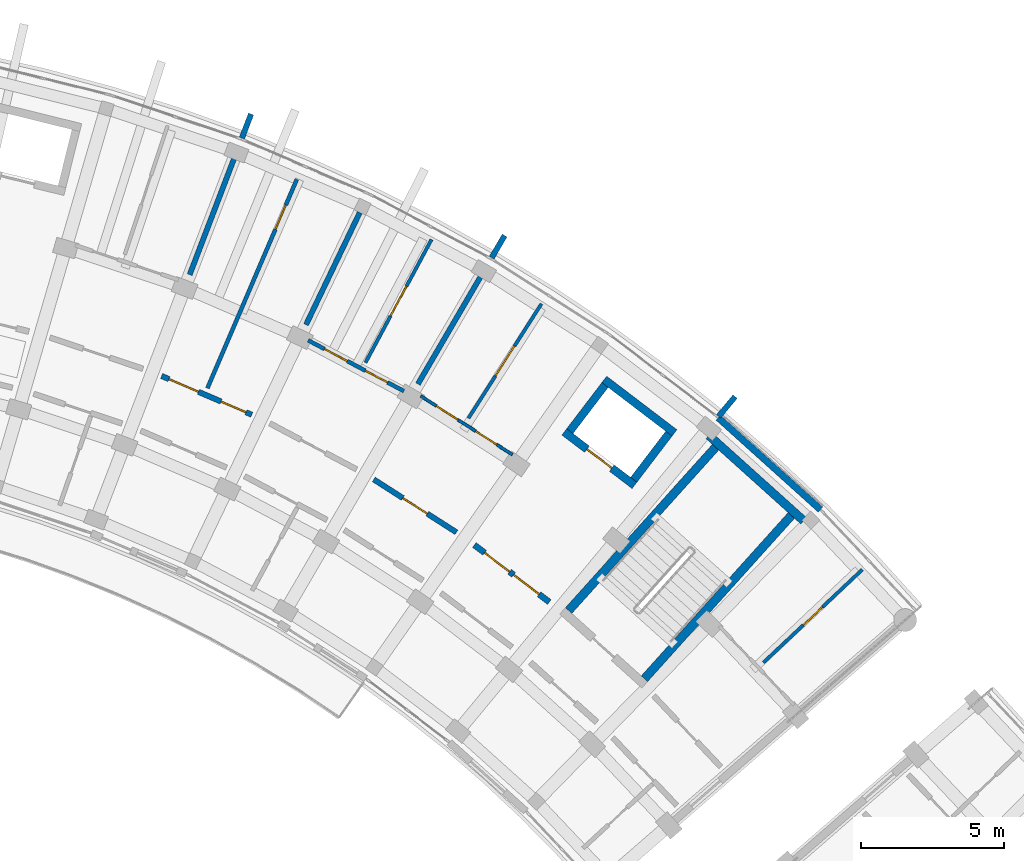
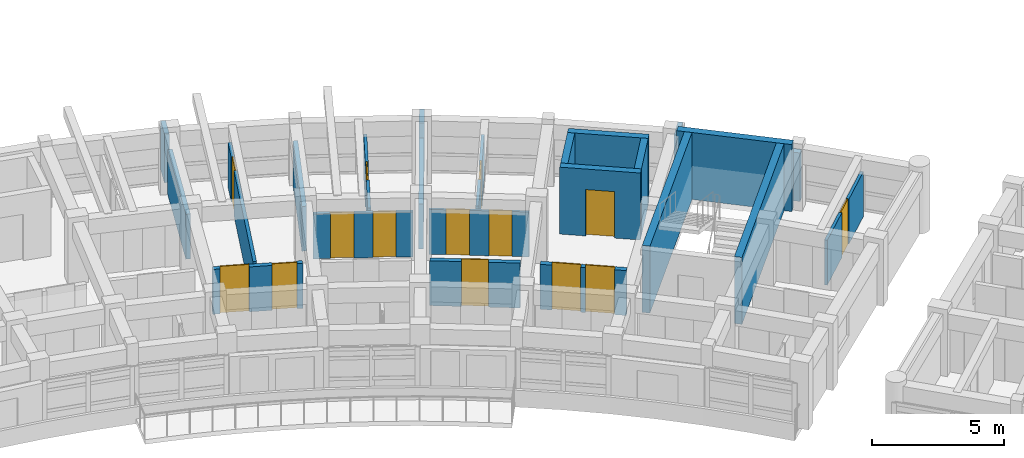
# One storey, part 36 of 56: 23 walls, 14 doors, 14 openings.
"""IFC4 building model written with IfcOpenShell, lengths in metres."""

from ifc_helpers import new_model, si_unit, direction, frame, frame_2d, origin, place, context, subcontext, project, spatial, rectangle, extrude, material, layer, layer_set, type_object, element, fill, save


model = new_model("IFC4")

# Units and contexts
model_context = context("Model", 3, precision=1e-05, world=origin(), true_north=direction((0.0, 1.0)))
body_context = subcontext(model_context, "Body", "Model", "MODEL_VIEW")
ifc_project = project(units=[si_unit("LENGTHUNIT", "METRE"), si_unit("AREAUNIT", "SQUARE_METRE"), si_unit("VOLUMEUNIT", "CUBIC_METRE"), si_unit("PLANEANGLEUNIT", "RADIAN"), si_unit("MASSUNIT", "GRAM", prefix="KILO")], contexts=[model_context])

# Site, building, storey
site_placement = place(None, origin())
site = spatial("IfcSite", under=ifc_project, at=site_placement, CompositionType="ELEMENT")
building_placement = place(site_placement, origin())
building = spatial("IfcBuilding", under=site, at=building_placement, Name="Zimvara Arc Housing Community", CompositionType="ELEMENT")
storey_placement = place(building_placement, frame((0.0, 0.0, 11.199951171875)))
storey = spatial("IfcBuildingStorey", under=building, at=storey_placement, Name="L03", CompositionType="ELEMENT", Elevation=11.199951171875)

# Walls
ifc_material_1 = material(Name="Board-Marked Fair-Faced Concrete C35/45", Category="concrete")
ifc_layer_1 = layer(ifc_material_1, 0.239990234375)
ifc_layer_set_1 = layer_set([ifc_layer_1], Name="Board-Marked Fair-Faced Concrete C35/45")
wall_type_1 = type_object("IfcWallType", Name="EWL-CONC-240", PredefinedType="SOLIDWALL", material=ifc_layer_set_1)
wall_1_placement = place(storey_placement, frame((82.89697265625, 90.21337890625, 0.0), z_axis=(0.0, 0.0, 1.0), x_axis=(0.743387539862, -0.668860946369, 0.0)))
element("IfcWall", 1, at=wall_1_placement, inside=storey, type_object=wall_type_1, Name="ewall:blkB:L03:out:b8", PredefinedType="SOLIDWALL", context=body_context, shape_type="SweptSolid", body=[
    extrude(rectangle(XDim=4.80908203125, YDim=0.239990234375, at=frame_2d((2.404541015625, 0.0))), origin(), (0.0, 0.0, 1.0), 2.25),
])
ifc_material_2 = material(Name="Board-Marked Fair-Faced Concrete C35/45", Category="concrete")
ifc_layer_2 = layer(ifc_material_2, 0.195068359375)
ifc_layer_set_2 = layer_set([ifc_layer_2], Name="Board-Marked Fair-Faced Concrete C35/45")
wall_type_2 = type_object("IfcWallType", Name="EWL-PARA-195", PredefinedType="PARAPET", material=ifc_layer_set_2)
wall_2_placement = place(storey_placement, frame((66.216796875, 100.0029296875, 0.0), z_axis=(0.0, 0.0, 1.0), x_axis=(0.356942580168, 0.934126326823, 0.0)))
element("IfcWall", 2, at=wall_2_placement, inside=storey, type_object=wall_type_2, Name="finwall:blkB:L03:out:b4", PredefinedType="PARAPET", context=body_context, shape_type="SweptSolid", body=[
    extrude(rectangle(XDim=0.900146484375, YDim=0.195068359375, at=frame_2d((0.4501953125, 0.0))), origin(), (0.0, 0.0, 1.0), 2.25),
])
wall_3_placement = place(storey_placement, frame((74.961181640625, 95.8134765625, 0.0), z_axis=(0.0, 0.0, 1.0), x_axis=(0.504326383773, 0.863513114336, 0.0)))
element("IfcWall", 3, at=wall_3_placement, inside=storey, type_object=wall_type_2, Name="finwall:blkB:L03:out:b6", PredefinedType="PARAPET", context=body_context, shape_type="SweptSolid", body=[
    extrude(rectangle(XDim=0.89990234375, YDim=0.195068359375, at=frame_2d((0.449951171875, 0.0))), origin(), (0.0, 0.0, 1.0), 2.25),
])
wall_4_placement = place(storey_placement, frame((82.90771484375, 90.25732421875, 0.0), z_axis=(0.0, 0.0, 1.0), x_axis=(0.637967316825, 0.770063440674, 0.0)))
element("IfcWall", 4, at=wall_4_placement, inside=storey, type_object=wall_type_2, Name="finwall:blkB:L03:out:b8", PredefinedType="PARAPET", context=body_context, shape_type="SweptSolid", body=[
    extrude(rectangle(XDim=0.900146484375, YDim=0.195068359375, at=frame_2d((0.4501953125, 0.0))), origin(), (0.0, 0.0, 1.0), 2.25),
])

# Wall, openings, doors
ifc_material_3 = material(Name="Concrete C35/45", Category="concrete")
ifc_layer_3 = layer(ifc_material_3, 0.2099609375)
ifc_layer_set_3 = layer_set([ifc_layer_3], Name="Concrete C35/45")
wall_type_3 = type_object("IfcWallType", Name="IWL-CCF-210", PredefinedType="SOLIDWALL", material=ifc_layer_set_3)
wall_5_placement = place(storey_placement, frame((74.356689453125, 85.755859375, 0.0), z_axis=(0.0, 0.0, 1.0), x_axis=(0.795498026433, -0.605956178235, 0.0)))
wall_5 = element("IfcWall", 5, at=wall_5_placement, inside=storey, type_object=wall_type_3, Name="iwall:blkB:L03:ll_div:b7", PredefinedType="SOLIDWALL", context=body_context, shape_type="SweptSolid", body=[
    extrude(rectangle(XDim=3.296142578125, YDim=0.2099609375, at=frame_2d((1.64794921875, 0.0))), origin(), (0.0, 0.0, 1.0), 2.080078125),
])
opening_1_placement = place(wall_5_placement, frame((0.449951171875, 0.0, 0.0)))
opening_1 = element("IfcOpeningElement", 6, at=opening_1_placement, cuts=wall_5, Name="Opening FD-CCF1", PredefinedType="OPENING", context=body_context, shape_type="SweptSolid", body=[
    extrude(rectangle(XDim=1.10009765625, YDim=2.14990234375, at=frame_2d((0.550048828125, 1.074951171875))), frame((0.0, 0.114990234375, 0.0), z_axis=(0.0, -1.0, 0.0), x_axis=(1.0, 0.0, 0.0)), (0.0, 0.0, 1.0), 0.22998046875),
])
opening_2_placement = place(wall_5_placement, frame((1.72607421875, 0.0, 0.0)))
opening_2 = element("IfcOpeningElement", 7, at=opening_2_placement, cuts=wall_5, Name="Opening D07", PredefinedType="OPENING", context=body_context, shape_type="SweptSolid", body=[
    extrude(rectangle(XDim=1.1201171875, YDim=2.14990234375, at=frame_2d((0.56005859375, 1.074951171875))), frame((0.0, 0.114990234375, 0.0), z_axis=(0.0, -1.0, 0.0), x_axis=(1.0, 0.0, 0.0)), (0.0, 0.0, 1.0), 0.22998046875),
])
ifc_material_4 = material(Name="Mozambican Hardwood", Category="wood")
door_type_1 = type_object("IfcDoorType", Name="IDR-AMN-1120x2150", OperationType="NOTDEFINED", PredefinedType="DOOR", material=ifc_material_4)
door_1_placement = place(opening_2_placement, origin())
door_1 = element("IfcDoor", 8, at=door_1_placement, inside=storey, type_object=door_type_1, Name="idoor:blkB:L03:rs_in:b7", OperationType="SINGLE_SWING_RIGHT", OverallHeight=2.14990234375, OverallWidth=1.1201171875, PredefinedType="DOOR", context=body_context, shape_type="SweptSolid", body=[
    extrude(rectangle(XDim=1.1201171875, YDim=2.14990234375, at=frame_2d((0.56005859375, 1.074951171875))), frame((0.0, 0.02490234375, 0.0), z_axis=(0.0, -1.0, 0.0), x_axis=(1.0, 0.0, 0.0)), (0.0, 0.0, 1.0), 0.050048828125),
])
fill(opening_2, door_1)
ifc_material_5 = material(Name="Anodised Aluminium AW-6063", Category="aluminium")
door_type_2 = type_object("IfcDoorType", Name="IDR-CCF-1100x2150", OperationType="NOTDEFINED", PredefinedType="DOOR", material=ifc_material_5)
door_2_placement = place(opening_1_placement, origin())
door_2 = element("IfcDoor", 9, at=door_2_placement, inside=storey, type_object=door_type_2, Name="idoor:blkB:L03:ll_in:b7", OperationType="SINGLE_SWING_LEFT", OverallHeight=2.14990234375, OverallWidth=1.10009765625, PredefinedType="DOOR", context=body_context, shape_type="SweptSolid", body=[
    extrude(rectangle(XDim=1.10009765625, YDim=2.14990234375, at=frame_2d((0.550048828125, 1.074951171875))), frame((0.0, 0.02490234375, 0.0), z_axis=(0.0, -1.0, 0.0), x_axis=(1.0, 0.0, 0.0)), (0.0, 0.0, 1.0), 0.050048828125),
])
fill(opening_1, door_2)

ifc_material_6 = material(Name="Concrete C35/45", Category="concrete")
ifc_layer_4 = layer(ifc_material_6, 0.18994140625)
ifc_layer_set_4 = layer_set([ifc_layer_4], Name="Concrete C35/45")
wall_type_4 = type_object("IfcWallType", Name="IWL-CORR-190", PredefinedType="SOLIDWALL", material=ifc_layer_set_4)
wall_6_placement = place(storey_placement, frame((63.40673828125, 91.6728515625, 0.0), z_axis=(0.0, 0.0, 1.0), x_axis=(0.918718172399, -0.394913813008, 0.0)))
wall_6 = element("IfcWall", 10, at=wall_6_placement, inside=storey, type_object=wall_type_4, Name="iwall:blkB:L03:corr_out:b4", PredefinedType="SOLIDWALL", context=body_context, shape_type="SweptSolid", body=[
    extrude(rectangle(XDim=3.43603515625, YDim=0.18994140625, at=frame_2d((1.718017578125, 0.0))), origin(), (0.0, 0.0, 1.0), 2.080078125),
])
opening_3_placement = place(wall_6_placement, frame((0.280029296875, 0.0, 0.0)))
opening_3 = element("IfcOpeningElement", 11, at=opening_3_placement, cuts=wall_6, Name="Opening D07", PredefinedType="OPENING", context=body_context, shape_type="SweptSolid", body=[
    extrude(rectangle(XDim=1.1201171875, YDim=2.14990234375, at=frame_2d((0.56005859375, 1.074951171875))), frame((0.0, 0.10498046875, 0.0), z_axis=(0.0, -1.0, 0.0), x_axis=(1.0, 0.0, 0.0)), (0.0, 0.0, 1.0), 0.2099609375),
])
opening_4_placement = place(wall_6_placement, frame((2.26611328125, 0.0, 0.0)))
opening_4 = element("IfcOpeningElement", 12, at=opening_4_placement, cuts=wall_6, Name="Opening D06", PredefinedType="OPENING", context=body_context, shape_type="SweptSolid", body=[
    extrude(rectangle(XDim=0.949951171875, YDim=2.10009765625, at=frame_2d((0.47509765625, 1.050048828125))), frame((0.0, 0.10498046875, 0.0), z_axis=(0.0, -1.0, 0.0), x_axis=(1.0, 0.0, 0.0)), (0.0, 0.0, 1.0), 0.2099609375),
])
door_3_placement = place(opening_3_placement, origin())
door_3 = element("IfcDoor", 13, at=door_3_placement, inside=storey, type_object=door_type_1, Name="idoor:blkB:L03:amen:b4", OperationType="SINGLE_SWING_RIGHT", OverallHeight=2.14990234375, OverallWidth=1.1201171875, PredefinedType="DOOR", context=body_context, shape_type="SweptSolid", body=[
    extrude(rectangle(XDim=1.1201171875, YDim=2.14990234375, at=frame_2d((0.56005859375, 1.074951171875))), frame((0.0, 0.02490234375, 0.0), z_axis=(0.0, -1.0, 0.0), x_axis=(1.0, 0.0, 0.0)), (0.0, 0.0, 1.0), 0.050048828125),
])
fill(opening_3, door_3)
ifc_material_7 = material(Name="Mozambican Hardwood", Category="wood")
door_type_3 = type_object("IfcDoorType", Name="IDR-AWC-0950x2100", OperationType="NOTDEFINED", PredefinedType="DOOR", material=ifc_material_7)
door_4_placement = place(opening_4_placement, origin())
door_4 = element("IfcDoor", 14, at=door_4_placement, inside=storey, type_object=door_type_3, Name="idoor:blkB:L03:cawc:b4", OperationType="SINGLE_SWING_LEFT", OverallHeight=2.10009765625, OverallWidth=0.949951171875, PredefinedType="DOOR", context=body_context, shape_type="SweptSolid", body=[
    extrude(rectangle(XDim=0.949951171875, YDim=2.10009765625, at=frame_2d((0.47509765625, 1.050048828125))), frame((0.0, 0.02490234375, 0.0), z_axis=(0.0, -1.0, 0.0), x_axis=(1.0, 0.0, 0.0)), (0.0, 0.0, 1.0), 0.050048828125),
])
fill(opening_4, door_4)

# Wall, opening, door
wall_7_placement = place(storey_placement, frame((70.833740234375, 88.05126953125, 0.0), z_axis=(0.0, 0.0, 1.0), x_axis=(0.842257205985, -0.539075874963, 0.0)))
wall_7 = element("IfcWall", 15, at=wall_7_placement, inside=storey, type_object=wall_type_4, Name="iwall:blkB:L03:corr_out:b6", PredefinedType="SOLIDWALL", context=body_context, shape_type="SweptSolid", body=[
    extrude(rectangle(XDim=3.43603515625, YDim=0.18994140625, at=frame_2d((1.718017578125, 0.0))), origin(), (0.0, 0.0, 1.0), 2.080078125),
])
opening_5_placement = place(wall_7_placement, frame((1.2080078125, 0.0, 0.0)))
opening_5 = element("IfcOpeningElement", 16, at=opening_5_placement, cuts=wall_7, Name="Opening FD-FL2", PredefinedType="OPENING", context=body_context, shape_type="SweptSolid", body=[
    extrude(rectangle(XDim=1.02001953125, YDim=2.14990234375, at=frame_2d((0.510009765625, 1.074951171875))), frame((0.0, 0.10498046875, 0.0), z_axis=(0.0, -1.0, 0.0), x_axis=(1.0, 0.0, 0.0)), (0.0, 0.0, 1.0), 0.2099609375),
])
ifc_material_8 = material(Name="Mozambican Hardwood", Category="wood")
door_type_4 = type_object("IfcDoorType", Name="IDR-FLAT-1020x2150", OperationType="NOTDEFINED", PredefinedType="DOOR", material=ifc_material_8)
door_5_placement = place(opening_5_placement, origin())
door_5 = element("IfcDoor", 17, at=door_5_placement, inside=storey, type_object=door_type_4, Name="idoor:blkB:L03:flat:b6", OperationType="SINGLE_SWING_RIGHT", OverallHeight=2.14990234375, OverallWidth=1.02001953125, PredefinedType="DOOR", context=body_context, shape_type="SweptSolid", body=[
    extrude(rectangle(XDim=1.02001953125, YDim=2.14990234375, at=frame_2d((0.510009765625, 1.074951171875))), frame((0.0, 0.02490234375, 0.0), z_axis=(0.0, -1.0, 0.0), x_axis=(1.0, 0.0, 0.0)), (0.0, 0.0, 1.0), 0.050048828125),
])
fill(opening_5, door_5)

# Walls
ifc_material_9 = material(Name="Concrete C35/45", Category="concrete")
ifc_layer_5 = layer(ifc_material_9, 0.18505859375)
ifc_layer_set_5 = layer_set([ifc_layer_5], Name="Concrete C35/45")
wall_type_5 = type_object("IfcWallType", Name="IWL-FLAT-185", PredefinedType="SOLIDWALL", material=ifc_layer_set_5)
for number, where, z_axis, x_axis, name in (
    (18, (64.388671875, 95.220458984375, 0.0), (0.0, 0.0, 1.0), (0.357064016205, 0.934079915388, 0.0), "iwall:blkB:L03:party:b4"),
    (19, (68.462158203125, 93.469482421875, 0.0), (0.0, 0.0, 1.0), (0.432086898897, 0.901831975371, 0.0), "iwall:blkB:L03:party:b5"),
    (20, (72.37939453125, 91.391845703125, 0.0), (0.0, 0.0, 1.0), (0.504216452091, 0.863577309475, 0.0), "iwall:blkB:L03:party:b6"),
):
    element("IfcWall", number, at=place(storey_placement, frame(where, z_axis=z_axis, x_axis=x_axis)), inside=storey, type_object=wall_type_5, Name=name, PredefinedType="SOLIDWALL", context=body_context, shape_type="SweptSolid", body=[
        extrude(rectangle(XDim=4.35009765625, YDim=0.18505859375, at=frame_2d((2.175048828125, 0.0))), origin(), (0.0, 0.0, 1.0), 2.080078125),
    ])

# Wall, openings, doors
ifc_material_10 = material(Name="Painted Acoustic Plasterboard")
ifc_layer_6 = layer(ifc_material_10, 0.10009765625)
ifc_layer_set_6 = layer_set([ifc_layer_6], Name="Painted Acoustic Plasterboard")
wall_type_6 = type_object("IfcWallType", Name="IWL-PART-100", PredefinedType="PARTITIONING", material=ifc_layer_set_6)
wall_8_placement = place(storey_placement, frame((72.48095703125, 90.97119140625, 0.0), z_axis=(0.0, 0.0, 1.0), x_axis=(0.842238809758, -0.53910461632, 0.0)))
wall_8 = element("IfcWall", 21, at=wall_8_placement, inside=storey, type_object=wall_type_6, Name="iwall:blkB:L03:srv:b6", PredefinedType="PARTITIONING", context=body_context, shape_type="SweptSolid", body=[
    extrude(rectangle(XDim=3.8095703125, YDim=0.10009765625, at=frame_2d((1.90478515625, 0.0))), origin(), (0.0, 0.0, 1.0), 2.080078125),
])
opening_6_placement = place(wall_8_placement, frame((0.64990234375, 0.0, 0.0)))
opening_6 = element("IfcOpeningElement", 22, at=opening_6_placement, cuts=wall_8, Name="Opening D01", PredefinedType="OPENING", context=body_context, shape_type="SweptSolid", body=[
    extrude(rectangle(XDim=0.89990234375, YDim=2.10009765625, at=frame_2d((0.449951171875, 1.050048828125))), frame((0.0, 0.06005859375, 0.0), z_axis=(0.0, -1.0, 0.0), x_axis=(1.0, 0.0, 0.0)), (0.0, 0.0, 1.0), 0.1201171875),
])
opening_7_placement = place(wall_8_placement, frame((2.279541015625, 0.0, 0.0)))
opening_7 = element("IfcOpeningElement", 23, at=opening_7_placement, cuts=wall_8, Name="Opening D05", PredefinedType="OPENING", context=body_context, shape_type="SweptSolid", body=[
    extrude(rectangle(XDim=0.8798828125, YDim=2.10009765625, at=frame_2d((0.43994140625, 1.050048828125))), frame((0.0, 0.06005859375, 0.0), z_axis=(0.0, -1.0, 0.0), x_axis=(1.0, 0.0, 0.0)), (0.0, 0.0, 1.0), 0.1201171875),
])
ifc_material_11 = material(Name="Mozambican Hardwood", Category="wood")
door_type_5 = type_object("IfcDoorType", Name="IDR-RM-0900x2100", OperationType="NOTDEFINED", PredefinedType="DOOR", material=ifc_material_11)
door_6_placement = place(opening_6_placement, origin())
door_6 = element("IfcDoor", 24, at=door_6_placement, inside=storey, type_object=door_type_5, Name="idoor:blkB:L03:kit_liv:b6", OperationType="SINGLE_SWING_RIGHT", OverallHeight=2.10009765625, OverallWidth=0.89990234375, PredefinedType="DOOR", context=body_context, shape_type="SweptSolid", body=[
    extrude(rectangle(XDim=0.89990234375, YDim=2.10009765625, at=frame_2d((0.449951171875, 1.050048828125))), frame((0.0, 0.02490234375, 0.0), z_axis=(0.0, -1.0, 0.0), x_axis=(1.0, 0.0, 0.0)), (0.0, 0.0, 1.0), 0.050048828125),
])
fill(opening_6, door_6)
ifc_material_12 = material(Name="Mozambican Hardwood", Category="wood")
door_type_6 = type_object("IfcDoorType", Name="IDR-WC-0880x2100", OperationType="NOTDEFINED", PredefinedType="DOOR", material=ifc_material_12)
door_7_placement = place(opening_7_placement, origin())
door_7 = element("IfcDoor", 25, at=door_7_placement, inside=storey, type_object=door_type_6, Name="idoor:blkB:L03:bath_d:b6", OperationType="SINGLE_SWING_LEFT", OverallHeight=2.10009765625, OverallWidth=0.8798828125, PredefinedType="DOOR", context=body_context, shape_type="SweptSolid", body=[
    extrude(rectangle(XDim=0.8798828125, YDim=2.10009765625, at=frame_2d((0.43994140625, 1.050048828125))), frame((0.0, 0.02490234375, 0.0), z_axis=(0.0, -1.0, 0.0), x_axis=(1.0, 0.0, 0.0)), (0.0, 0.0, 1.0), 0.050048828125),
])
fill(opening_7, door_7)

# Wall, opening, door
ifc_material_13 = material(Name="Painted Acoustic Plasterboard")
ifc_layer_7 = layer(ifc_material_13, 0.1201171875)
ifc_layer_set_7 = layer_set([ifc_layer_7], Name="Painted Acoustic Plasterboard")
wall_type_7 = type_object("IfcWallType", Name="IWL-PART-120", PredefinedType="PARTITIONING", material=ifc_layer_set_7)
wall_9_placement = place(storey_placement, frame((70.540771484375, 92.134765625, 0.0), z_axis=(0.0, 0.0, 1.0), x_axis=(0.472542158723, 0.881308066586, 0.0)))
wall_9 = element("IfcWall", 26, at=wall_9_placement, inside=storey, type_object=wall_type_7, Name="iwall:blkB:L03:bed_div:b5", PredefinedType="PARTITIONING", context=body_context, shape_type="SweptSolid", body=[
    extrude(rectangle(XDim=4.89990234375, YDim=0.1201171875, at=frame_2d((2.449951171875, 0.0))), origin(), (0.0, 0.0, 1.0), 2.080078125),
])
opening_8_placement = place(wall_9_placement, frame((1.860107421875, 0.0, 0.0)))
opening_8 = element("IfcOpeningElement", 27, at=opening_8_placement, cuts=wall_9, Name="Opening D18", PredefinedType="OPENING", context=body_context, shape_type="SweptSolid", body=[
    extrude(rectangle(XDim=1.179931640625, YDim=2.10009765625, at=frame_2d((0.58984375, 1.050048828125))), frame((0.0, 0.070068359375, 0.0), z_axis=(0.0, -1.0, 0.0), x_axis=(1.0, 0.0, 0.0)), (0.0, 0.0, 1.0), 0.14013671875),
])
ifc_material_14 = material(Name="Mozambican Hardwood", Category="wood")
door_type_7 = type_object("IfcDoorType", Name="IDR-MOD-1180x2120", OperationType="NOTDEFINED", PredefinedType="DOOR", material=ifc_material_14)
door_8_placement = place(opening_8_placement, origin())
door_8 = element("IfcDoor", 28, at=door_8_placement, inside=storey, type_object=door_type_7, Name="idoor:blkB:L03:bed_d:b5", OperationType="SINGLE_SWING_LEFT", OverallHeight=2.10009765625, OverallWidth=1.179931640625, PredefinedType="DOOR", context=body_context, shape_type="SweptSolid", body=[
    extrude(rectangle(XDim=1.179931640625, YDim=2.10009765625, at=frame_2d((0.58984375, 1.050048828125))), frame((0.0, 0.02490234375, 0.0), z_axis=(0.0, -1.0, 0.0), x_axis=(1.0, 0.0, 0.0)), (0.0, 0.0, 1.0), 0.050048828125),
])
fill(opening_8, door_8)

wall_10_placement = place(storey_placement, frame((74.1484375, 90.19482421875, 0.0), z_axis=(0.0, 0.0, 1.0), x_axis=(0.537779792606, 0.843085342456, 0.0)))
wall_10 = element("IfcWall", 29, at=wall_10_placement, inside=storey, type_object=wall_type_7, Name="iwall:blkB:L03:bed_div:b6", PredefinedType="PARTITIONING", context=body_context, shape_type="SweptSolid", body=[
    extrude(rectangle(XDim=4.75, YDim=0.1201171875, at=frame_2d((2.375, 0.0))), origin(), (0.0, 0.0, 1.0), 2.080078125),
])
opening_9_placement = place(wall_10_placement, frame((1.7548828125, 0.0, 0.0)))
opening_9 = element("IfcOpeningElement", 30, at=opening_9_placement, cuts=wall_10, Name="Opening D19", PredefinedType="OPENING", context=body_context, shape_type="SweptSolid", body=[
    extrude(rectangle(XDim=1.239990234375, YDim=2.10009765625, at=frame_2d((0.6201171875, 1.050048828125))), frame((0.0, 0.070068359375, 0.0), z_axis=(0.0, -1.0, 0.0), x_axis=(1.0, 0.0, 0.0)), (0.0, 0.0, 1.0), 0.14013671875),
])
ifc_material_15 = material(Name="Mozambican Hardwood", Category="wood")
door_type_8 = type_object("IfcDoorType", Name="IDR-MOD-1240x2180", OperationType="NOTDEFINED", PredefinedType="DOOR", material=ifc_material_15)
door_9_placement = place(opening_9_placement, origin())
door_9 = element("IfcDoor", 31, at=door_9_placement, inside=storey, type_object=door_type_8, Name="idoor:blkB:L03:bed_d:b6", OperationType="SINGLE_SWING_RIGHT", OverallHeight=2.10009765625, OverallWidth=1.239990234375, PredefinedType="DOOR", context=body_context, shape_type="SweptSolid", body=[
    extrude(rectangle(XDim=1.239990234375, YDim=2.10009765625, at=frame_2d((0.6201171875, 1.050048828125))), frame((0.0, 0.02490234375, 0.0), z_axis=(0.0, -1.0, 0.0), x_axis=(1.0, 0.0, 0.0)), (0.0, 0.0, 1.0), 0.050048828125),
])
fill(opening_9, door_9)

wall_11_placement = place(storey_placement, frame((84.475341796875, 81.639404296875, 0.0), z_axis=(0.0, 0.0, 1.0), x_axis=(0.728314662127, 0.685242842306, 0.0)))
wall_11 = element("IfcWall", 32, at=wall_11_placement, inside=storey, type_object=wall_type_7, Name="iwall:blkB:L03:bed_div:b9", PredefinedType="PARTITIONING", context=body_context, shape_type="SweptSolid", body=[
    extrude(rectangle(XDim=4.75, YDim=0.1201171875, at=frame_2d((2.375, 0.0))), origin(), (0.0, 0.0, 1.0), 2.080078125),
])
opening_10_placement = place(wall_11_placement, frame((1.9150390625, 0.0, 0.0)))
opening_10 = element("IfcOpeningElement", 33, at=opening_10_placement, cuts=wall_11, Name="Opening D02", PredefinedType="OPENING", context=body_context, shape_type="SweptSolid", body=[
    extrude(rectangle(XDim=0.919921875, YDim=2.10009765625, at=frame_2d((0.4599609375, 1.050048828125))), frame((0.0, 0.070068359375, 0.0), z_axis=(0.0, -1.0, 0.0), x_axis=(1.0, 0.0, 0.0)), (0.0, 0.0, 1.0), 0.14013671875),
])
ifc_material_16 = material(Name="Mozambican Hardwood", Category="wood")
door_type_9 = type_object("IfcDoorType", Name="IDR-RM-0920x2100", OperationType="NOTDEFINED", PredefinedType="DOOR", material=ifc_material_16)
door_10_placement = place(opening_10_placement, origin())
door_10 = element("IfcDoor", 34, at=door_10_placement, inside=storey, type_object=door_type_9, Name="idoor:blkB:L03:bed_d:b9", OperationType="SINGLE_SWING_RIGHT", OverallHeight=2.10009765625, OverallWidth=0.919921875, PredefinedType="DOOR", context=body_context, shape_type="SweptSolid", body=[
    extrude(rectangle(XDim=0.919921875, YDim=2.10009765625, at=frame_2d((0.4599609375, 1.050048828125))), frame((0.0, 0.02490234375, 0.0), z_axis=(0.0, -1.0, 0.0), x_axis=(1.0, 0.0, 0.0)), (0.0, 0.0, 1.0), 0.050048828125),
])
fill(opening_10, door_10)

ifc_material_17 = material(Name="Painted Acoustic Plasterboard")
ifc_layer_8 = layer(ifc_material_17, 0.139892578125)
ifc_layer_set_8 = layer_set([ifc_layer_8], Name="Painted Acoustic Plasterboard")
wall_type_8 = type_object("IfcWallType", Name="IWL-PART-140", PredefinedType="PARTITIONING", material=ifc_layer_set_8)
wall_12_placement = place(storey_placement, frame((65.010498046875, 91.247314453125, 0.0), z_axis=(0.0, 0.0, 1.0), x_axis=(0.393511564709, 0.919319666079, 0.0)))
wall_12 = element("IfcWall", 35, at=wall_12_placement, inside=storey, type_object=wall_type_8, Name="iwall:blkB:L03:amen_div:b4", PredefinedType="PARTITIONING", context=body_context, shape_type="SweptSolid", body=[
    extrude(rectangle(XDim=7.949951171875, YDim=0.139892578125, at=frame_2d((3.97509765625, 0.0))), origin(), (0.0, 0.0, 1.0), 2.080078125),
])
opening_11_placement = place(wall_12_placement, frame((6.050048828125, 0.0, 0.0)))
opening_11 = element("IfcOpeningElement", 36, at=opening_11_placement, cuts=wall_12, Name="Opening D02", PredefinedType="OPENING", context=body_context, shape_type="SweptSolid", body=[
    extrude(rectangle(XDim=0.919921875, YDim=2.10009765625, at=frame_2d((0.4599609375, 1.050048828125))), frame((0.0, 0.079833984375, 0.0), z_axis=(0.0, -1.0, 0.0), x_axis=(1.0, 0.0, 0.0)), (0.0, 0.0, 1.0), 0.159912109375),
])
door_11_placement = place(opening_11_placement, origin())
door_11 = element("IfcDoor", 37, at=door_11_placement, inside=storey, type_object=door_type_9, Name="idoor:blkB:L03:laund_d:b4", OperationType="SINGLE_SWING_LEFT", OverallHeight=2.10009765625, OverallWidth=0.919921875, PredefinedType="DOOR", context=body_context, shape_type="SweptSolid", body=[
    extrude(rectangle(XDim=0.919921875, YDim=2.10009765625, at=frame_2d((0.4599609375, 1.050048828125))), frame((0.0, 0.02490234375, 0.0), z_axis=(0.0, -1.0, 0.0), x_axis=(1.0, 0.0, 0.0)), (0.0, 0.0, 1.0), 0.050048828125),
])
fill(opening_11, door_11)

# Wall, openings, doors
wall_13_placement = place(storey_placement, frame((68.532958984375, 92.923095703125, 0.0), z_axis=(0.0, 0.0, 1.0), x_axis=(0.88341855112, -0.46858474531, 0.0)))
wall_13 = element("IfcWall", 38, at=wall_13_placement, inside=storey, type_object=wall_type_8, Name="iwall:blkB:L03:srv:b5", PredefinedType="PARTITIONING", context=body_context, shape_type="SweptSolid", body=[
    extrude(rectangle(XDim=3.797119140625, YDim=0.139892578125, at=frame_2d((1.8984375, 0.0))), origin(), (0.0, 0.0, 1.0), 2.080078125),
])
opening_12_placement = place(wall_13_placement, frame((0.64990234375, 0.0, 0.0)))
opening_12 = element("IfcOpeningElement", 39, at=opening_12_placement, cuts=wall_13, Name="Opening D01", PredefinedType="OPENING", context=body_context, shape_type="SweptSolid", body=[
    extrude(rectangle(XDim=0.89990234375, YDim=2.10009765625, at=frame_2d((0.449951171875, 1.050048828125))), frame((0.0, 0.079833984375, 0.0), z_axis=(0.0, -1.0, 0.0), x_axis=(1.0, 0.0, 0.0)), (0.0, 0.0, 1.0), 0.159912109375),
])
opening_13_placement = place(wall_13_placement, frame((2.267333984375, 0.0, 0.0)))
opening_13 = element("IfcOpeningElement", 40, at=opening_13_placement, cuts=wall_13, Name="Opening D05", PredefinedType="OPENING", context=body_context, shape_type="SweptSolid", body=[
    extrude(rectangle(XDim=0.8798828125, YDim=2.10009765625, at=frame_2d((0.43994140625, 1.050048828125))), frame((0.0, 0.079833984375, 0.0), z_axis=(0.0, -1.0, 0.0), x_axis=(1.0, 0.0, 0.0)), (0.0, 0.0, 1.0), 0.159912109375),
])
door_12_placement = place(opening_12_placement, origin())
door_12 = element("IfcDoor", 41, at=door_12_placement, inside=storey, type_object=door_type_5, Name="idoor:blkB:L03:kit_liv:b5", OperationType="SINGLE_SWING_LEFT", OverallHeight=2.10009765625, OverallWidth=0.89990234375, PredefinedType="DOOR", context=body_context, shape_type="SweptSolid", body=[
    extrude(rectangle(XDim=0.89990234375, YDim=2.10009765625, at=frame_2d((0.449951171875, 1.050048828125))), frame((0.0, 0.02490234375, 0.0), z_axis=(0.0, -1.0, 0.0), x_axis=(1.0, 0.0, 0.0)), (0.0, 0.0, 1.0), 0.050048828125),
])
fill(opening_12, door_12)
door_13_placement = place(opening_13_placement, origin())
door_13 = element("IfcDoor", 42, at=door_13_placement, inside=storey, type_object=door_type_6, Name="idoor:blkB:L03:bath_d:b5", OperationType="SINGLE_SWING_RIGHT", OverallHeight=2.10009765625, OverallWidth=0.8798828125, PredefinedType="DOOR", context=body_context, shape_type="SweptSolid", body=[
    extrude(rectangle(XDim=0.8798828125, YDim=2.10009765625, at=frame_2d((0.43994140625, 1.050048828125))), frame((0.0, 0.02490234375, 0.0), z_axis=(0.0, -1.0, 0.0), x_axis=(1.0, 0.0, 0.0)), (0.0, 0.0, 1.0), 0.050048828125),
])
fill(opening_13, door_13)

# Wall, opening, door
ifc_material_18 = material(Name="Concrete C40/50", Category="concrete")
ifc_layer_9 = layer(ifc_material_18, 0.280029296875)
ifc_layer_set_9 = layer_set([ifc_layer_9], Name="Concrete C40/50")
wall_type_9 = type_object("IfcWallType", Name="WL-CORE-280", PredefinedType="SHEAR", material=ifc_layer_set_9)
wall_14_placement = place(storey_placement, frame((79.96142578125, 87.84375, 0.0), z_axis=(0.0, 0.0, 1.0), x_axis=(-0.795464365424, 0.606000365793, 0.0)))
wall_14 = element("IfcWall", 43, at=wall_14_placement, inside=storey, type_object=wall_type_9, Name="lwall:LP-B2:L03:front", PredefinedType="SHEAR", context=body_context, shape_type="SweptSolid", body=[
    extrude(rectangle(XDim=3.090087890625, YDim=0.280029296875, at=frame_2d((1.544921875, 0.0))), origin(), (0.0, 0.0, 1.0), 3.10009765625),
])
opening_14_placement = place(wall_14_placement, frame((0.9951171875, 0.0, 0.0)))
opening_14 = element("IfcOpeningElement", 44, at=opening_14_placement, cuts=wall_14, Name="Opening LD-LP-B2", PredefinedType="OPENING", context=body_context, shape_type="SweptSolid", body=[
    extrude(rectangle(XDim=1.10009765625, YDim=2.14990234375, at=frame_2d((0.550048828125, 1.074951171875))), frame((0.0, 0.14990234375, 0.0), z_axis=(0.0, -1.0, 0.0), x_axis=(1.0, 0.0, 0.0)), (0.0, 0.0, 1.0), 0.300048828125),
])
ifc_material_19 = material(Name="Anodised Aluminium AW-6063", Category="aluminium")
door_type_10 = type_object("IfcDoorType", Name="IDR-LD-1100x2150", OperationType="DOUBLE_DOOR_SLIDING", PredefinedType="DOOR", material=ifc_material_19)
door_14_placement = place(opening_14_placement, origin())
door_14 = element("IfcDoor", 45, at=door_14_placement, inside=storey, type_object=door_type_10, Name="Lift LP-B2 Sliding Landing Door L03", OperationType="DOUBLE_DOOR_SLIDING", OverallHeight=2.14990234375, OverallWidth=1.10009765625, PredefinedType="DOOR", context=body_context, shape_type="SweptSolid", body=[
    extrude(rectangle(XDim=1.10009765625, YDim=2.14990234375, at=frame_2d((0.550048828125, 1.074951171875))), frame((0.0, 0.02490234375, 0.0), z_axis=(0.0, -1.0, 0.0), x_axis=(1.0, 0.0, 0.0)), (0.0, 0.0, 1.0), 0.050048828125),
])
fill(opening_14, door_14)

# Walls
wall_15_placement = place(storey_placement, frame((81.361083984375, 89.681396484375, 0.0), z_axis=(0.0, 0.0, 1.0), x_axis=(-0.795502452183, 0.605950368076, 0.0)))
element("IfcWall", 46, at=wall_15_placement, inside=storey, type_object=wall_type_9, Name="lwall:LP-B2:L03:back", PredefinedType="SHEAR", context=body_context, shape_type="SweptSolid", body=[
    extrude(rectangle(XDim=3.08984375, YDim=0.280029296875, at=frame_2d((1.544921875, 0.0))), origin(), (0.0, 0.0, 1.0), 3.10009765625),
])
for number, where, z_axis, x_axis, name in (
    (47, (79.934814453125, 88.0400390625, 0.0), (0.0, 0.0, 1.0), (0.606025097418, 0.795445523779, 0.0), "lwall:LP-B2:L03:left"),
    (48, (77.699462890625, 89.742919921875, 0.0), (0.0, 0.0, 1.0), (0.606025097418, 0.795445523779, 0.0), "lwall:LP-B2:L03:right"),
):
    element("IfcWall", number, at=place(storey_placement, frame(where, z_axis=z_axis, x_axis=x_axis)), inside=storey, type_object=wall_type_9, Name=name, PredefinedType="SHEAR", context=body_context, shape_type="SweptSolid", body=[
        extrude(rectangle(XDim=2.030029296875, YDim=0.280029296875, at=frame_2d((1.01513671875, 0.0))), origin(), (0.0, 0.0, 1.0), 3.10009765625),
    ])
ifc_material_20 = material(Name="Concrete C40/50", Category="concrete")
ifc_layer_10 = layer(ifc_material_20, 0.300048828125)
ifc_layer_set_10 = layer_set([ifc_layer_10], Name="Concrete C40/50")
wall_type_10 = type_object("IfcWallType", Name="WL-CORE-300", PredefinedType="SHEAR", material=ifc_layer_set_10)
wall_16_placement = place(storey_placement, frame((85.887451171875, 86.6005859375, 0.0), z_axis=(0.0, 0.0, 1.0), x_axis=(-0.743400052815, 0.668847038922, 0.0)))
element("IfcWall", 49, at=wall_16_placement, inside=storey, type_object=wall_type_10, Name="cwall:ST-B2:L03:far", PredefinedType="SHEAR", context=body_context, shape_type="SweptSolid", body=[
    extrude(rectangle(XDim=4.469970703125, YDim=0.300048828125, at=frame_2d((2.23486328125, 0.0))), origin(), (0.0, 0.0, 1.0), 3.10009765625),
])
wall_17_placement = place(storey_placement, frame((80.308837890625, 81.073486328125, 0.0), z_axis=(0.0, 0.0, 1.0), x_axis=(0.668885797871, 0.743365179038, 0.0)))
element("IfcWall", 50, at=wall_17_placement, inside=storey, type_object=wall_type_10, Name="cwall:ST-B2:L03:left", PredefinedType="SHEAR", context=body_context, shape_type="SweptSolid", body=[
    extrude(rectangle(XDim=7.690185546875, YDim=0.300048828125, at=frame_2d((3.84521484375, 0.0))), origin(), (0.0, 0.0, 1.0), 3.10009765625),
])
wall_18_placement = place(storey_placement, frame((77.655029296875, 83.461181640625, 0.0), z_axis=(0.0, 0.0, 1.0), x_axis=(0.668868253964, 0.743380964808, 0.0)))
element("IfcWall", 51, at=wall_18_placement, inside=storey, type_object=wall_type_10, Name="cwall:ST-B2:L03:right", PredefinedType="SHEAR", context=body_context, shape_type="SweptSolid", body=[
    extrude(rectangle(XDim=7.68994140625, YDim=0.300048828125, at=frame_2d((3.844970703125, 0.0))), origin(), (0.0, 0.0, 1.0), 3.10009765625),
])

save(model, "model.ifc")
